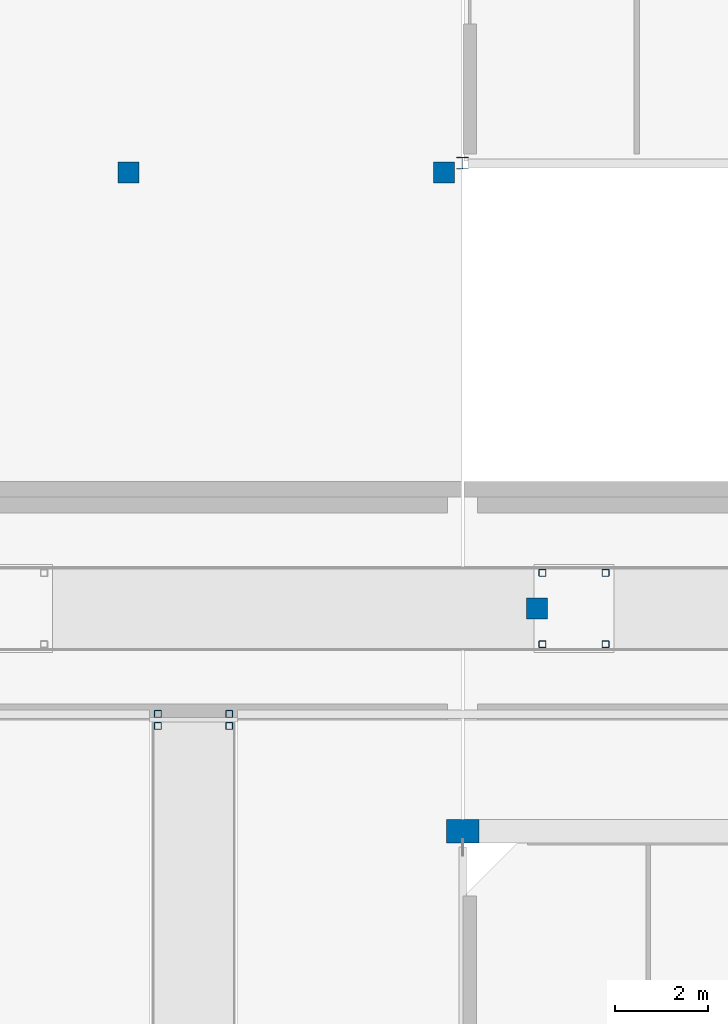
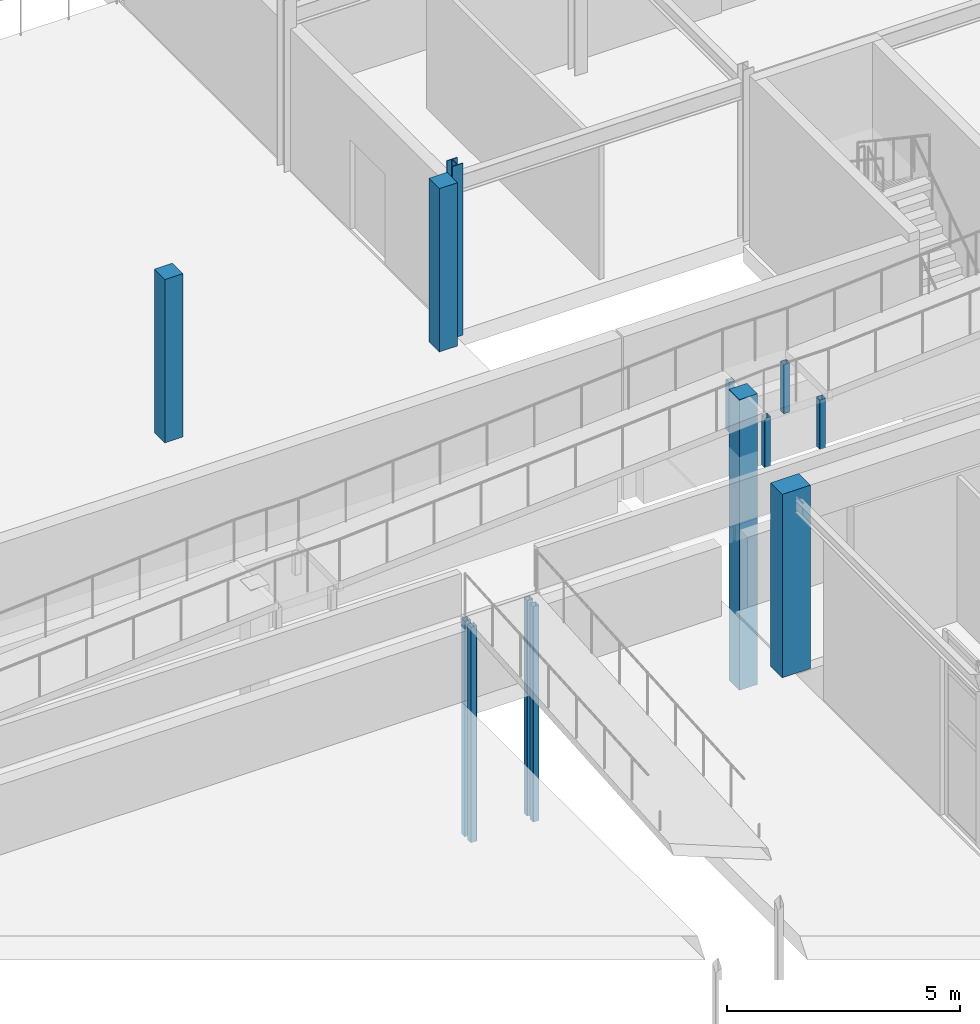
# One storey, part 13 of 85: 13 columns.
"""IFC4 building model written with IfcOpenShell, lengths in metres."""

from ifc_helpers import new_model, si_unit, direction, frame, origin, origin_2d, place, context, subcontext, project, spatial, rectangle, hollow_rectangle, i_section, extrude, material, material_profile, profile_set, type_object, element, save


model = new_model("IFC4")

# Units and contexts
model_context = context("Model", 3, precision=1e-05, world=origin(), true_north=direction((0.0, 1.0)))
body_context = subcontext(model_context, "Body", "Model", "MODEL_VIEW")
ifc_project = project(units=[si_unit("LENGTHUNIT", "METRE"), si_unit("AREAUNIT", "SQUARE_METRE"), si_unit("VOLUMEUNIT", "CUBIC_METRE"), si_unit("PLANEANGLEUNIT", "RADIAN"), si_unit("MASSUNIT", "GRAM", prefix="KILO")], contexts=[model_context])

# Site, building, storey
site_placement = place(None, origin())
site = spatial("IfcSite", under=ifc_project, at=site_placement, CompositionType="ELEMENT")
building_placement = place(site_placement, origin())
building = spatial("IfcBuilding", under=site, at=building_placement, Name="Ochrevale Crest", CompositionType="ELEMENT")
storey_placement = place(building_placement, origin())
storey = spatial("IfcBuildingStorey", under=building, at=storey_placement, Name="L00", CompositionType="ELEMENT", Elevation=0.0)

# Columns
ifc_material_1 = material(Name="Precast concrete C40/50", Category="concrete")
ifc_material_profile_1 = material_profile(ifc_material_1, rectangle(XDim=0.449951171875, YDim=0.449951171875, at=origin_2d()), Name="RC 450x450")
ifc_profile_set_1 = profile_set([ifc_material_profile_1], Name="Precast concrete C40/50")
column_type_1 = type_object("IfcColumnType", Name="COL-RC450x450", PredefinedType="COLUMN", material=ifc_profile_set_1)
column_1_placement = place(storey_placement, frame((59.199951171875, 69.60009765625, -3.860107421875), z_axis=(0.0, 0.0, 1.0), x_axis=(1.0, 0.0, 0.0)))
element("IfcColumn", 1, at=column_1_placement, inside=storey, type_object=column_type_1, Name="Foundation support pier FTG-PF-RW2B", PredefinedType="COLUMN", context=body_context, shape_type="SweptSolid", body=[
    extrude(rectangle(XDim=0.449951171875, YDim=0.449951171875, at=origin_2d()), origin(), (0.0, 0.0, 1.0), 7.610107421875),
])
for number, where, z_axis, x_axis, name in (
    (2, (50.39990234375, 79.0, 0.0), (0.0, 0.0, 1.0), (1.0, 0.0, 0.0), "Step 3 promenade support column"),
    (3, (57.199951171875, 79.0, 0.0), (0.0, 0.0, 1.0), (1.0, 0.0, 0.0), "Step 3 promenade support column"),
):
    element("IfcColumn", number, at=place(storey_placement, frame(where, z_axis=z_axis, x_axis=x_axis)), inside=storey, type_object=column_type_1, Name=name, PredefinedType="COLUMN", context=body_context, shape_type="SweptSolid", body=[
        extrude(rectangle(XDim=0.449951171875, YDim=0.449951171875, at=origin_2d()), origin(), (0.0, 0.0, 1.0), 4.27490234375),
    ])
ifc_material_2 = material(Name="Precast concrete C50/60", Category="concrete")
ifc_material_profile_2 = material_profile(ifc_material_2, rectangle(XDim=0.5, YDim=0.699951171875, at=origin_2d()), Name="RC 500x700")
ifc_profile_set_2 = profile_set([ifc_material_profile_2], Name="Precast concrete C50/60")
column_type_2 = type_object("IfcColumnType", Name="COL-RC500x700", PredefinedType="COLUMN", material=ifc_profile_set_2)
column_2_placement = place(storey_placement, frame((57.60009765625, 64.800048828125, 0.0), z_axis=(0.0, 0.0, 1.0), x_axis=(0.0, 1.0, 0.0)))
element("IfcColumn", 4, at=column_2_placement, inside=storey, type_object=column_type_2, Name="Community Hall buttress column 1-N", PredefinedType="COLUMN", context=body_context, shape_type="SweptSolid", body=[
    extrude(rectangle(XDim=0.5, YDim=0.699951171875, at=origin_2d()), origin(), (0.0, 0.0, 1.0), 4.800048828125),
])
ifc_material_3 = material(Name="Steel S355", Category="steel")
ifc_material_profile_3 = material_profile(ifc_material_3, hollow_rectangle(XDim=0.14990234375, YDim=0.14990234375, WallThickness=0.006103515625, InnerFilletRadius=0.006103515625, OuterFilletRadius=0.011962890625, at=origin_2d()), Name="150x150x6.0SHS")
ifc_profile_set_3 = profile_set([ifc_material_profile_3], Name="Steel S355")
column_type_3 = type_object("IfcColumnType", Name="COL-SHS150", PredefinedType="COLUMN", material=ifc_profile_set_3)
for number, where, z_axis, x_axis, name in (
    (5, (51.030029296875, 67.330078125, -3.60009765625), (0.0, 0.0, 1.0), (1.0, 0.0, 0.0), "Ramp landing RMP-ACC-W1-TOP support post 1"),
    (6, (52.570068359375, 67.330078125, -3.60009765625), (0.0, 0.0, 1.0), (1.0, 0.0, 0.0), "Ramp landing RMP-ACC-W1-TOP support post 2"),
    (7, (51.030029296875, 67.070068359375, -3.60009765625), (0.0, 0.0, 1.0), (1.0, 0.0, 0.0), "Ramp landing RMP-ACC-W1-TOP support post 3"),
    (8, (52.570068359375, 67.070068359375, -3.60009765625), (0.0, 0.0, 1.0), (1.0, 0.0, 0.0), "Ramp landing RMP-ACC-W1-TOP support post 4"),
):
    element("IfcColumn", number, at=place(storey_placement, frame(where, z_axis=z_axis, x_axis=x_axis)), inside=storey, type_object=column_type_3, Name=name, PredefinedType="COLUMN", context=body_context, shape_type="SweptSolid", body=[
        extrude(hollow_rectangle(XDim=0.14990234375, YDim=0.14990234375, WallThickness=0.006103515625, InnerFilletRadius=0.006103515625, OuterFilletRadius=0.011962890625, at=origin_2d()), origin(), (0.0, 0.0, 1.0), 5.64013671875),
    ])
for number, where, z_axis, x_axis, name in (
    (9, (59.320068359375, 68.830078125, 2.25), (0.0, 0.0, 1.0), (1.0, 0.0, 0.0), "Ramp landing RMP-ACC-W2-L2 support post 1"),
    (10, (60.679931640625, 68.830078125, 2.25), (0.0, 0.0, 1.0), (1.0, 0.0, 0.0), "Ramp landing RMP-ACC-W2-L2 support post 2"),
    (11, (59.320068359375, 70.3701171875, 2.25), (0.0, 0.0, 1.0), (1.0, 0.0, 0.0), "Ramp landing RMP-ACC-W2-L2 support post 3"),
    (12, (60.679931640625, 70.3701171875, 2.25), (0.0, 0.0, 1.0), (1.0, 0.0, 0.0), "Ramp landing RMP-ACC-W2-L2 support post 4"),
):
    element("IfcColumn", number, at=place(storey_placement, frame(where, z_axis=z_axis, x_axis=x_axis)), inside=storey, type_object=column_type_3, Name=name, PredefinedType="COLUMN", context=body_context, shape_type="SweptSolid", body=[
        extrude(hollow_rectangle(XDim=0.14990234375, YDim=0.14990234375, WallThickness=0.006103515625, InnerFilletRadius=0.006103515625, OuterFilletRadius=0.011962890625, at=origin_2d()), origin(), (0.0, 0.0, 1.0), 1.2900390625),
    ])
ifc_material_profile_4 = material_profile(ifc_material_3, i_section(OverallWidth=0.256103515625, OverallDepth=0.260009765625, WebThickness=0.010498046875, FlangeThickness=0.017333984375, FilletRadius=0.0126953125, at=origin_2d()), Name="250UC89.5")
ifc_profile_set_4 = profile_set([ifc_material_profile_4], Name="Steel S355")
column_type_4 = type_object("IfcColumnType", Name="COL-UC250B", PredefinedType="COLUMN", material=ifc_profile_set_4)
column_3_placement = place(storey_placement, frame((57.60009765625, 79.199951171875, 0.0), z_axis=(0.0, 0.0, 1.0), x_axis=(1.0, 0.0, 0.0)))
element("IfcColumn", 13, at=column_3_placement, inside=storey, type_object=column_type_4, Name="Nursery L00 steel column (57.6,79.2)", PredefinedType="COLUMN", context=body_context, shape_type="SweptSolid", body=[
    extrude(i_section(OverallWidth=0.256103515625, OverallDepth=0.260009765625, WebThickness=0.010498046875, FlangeThickness=0.017333984375, FilletRadius=0.0126953125, at=origin_2d()), origin(), (0.0, 0.0, 1.0), 4.5),
])

save(model, "model.ifc")
